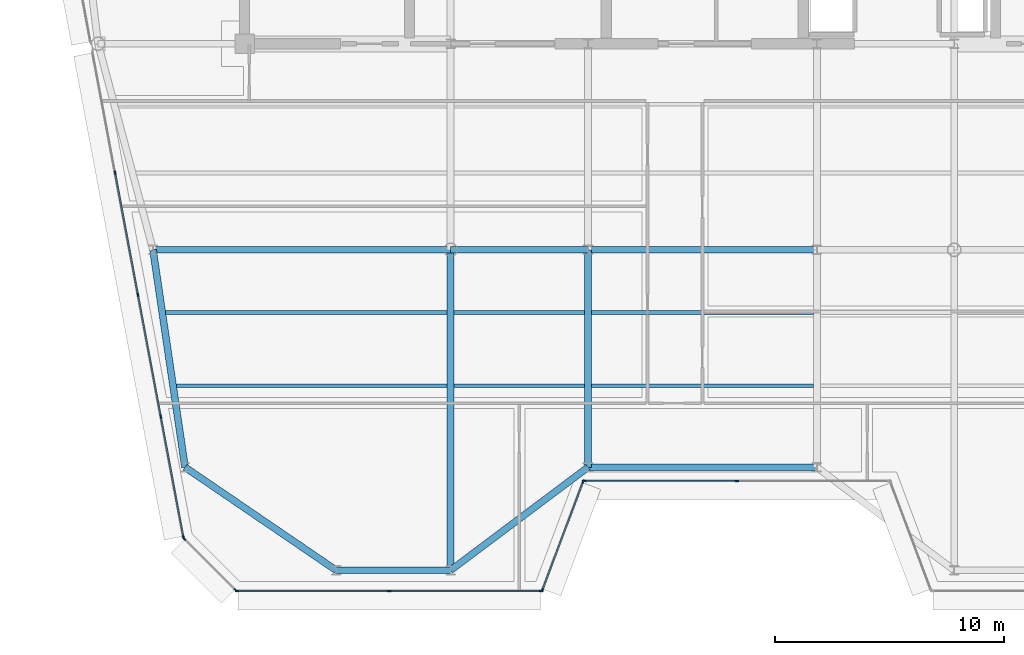
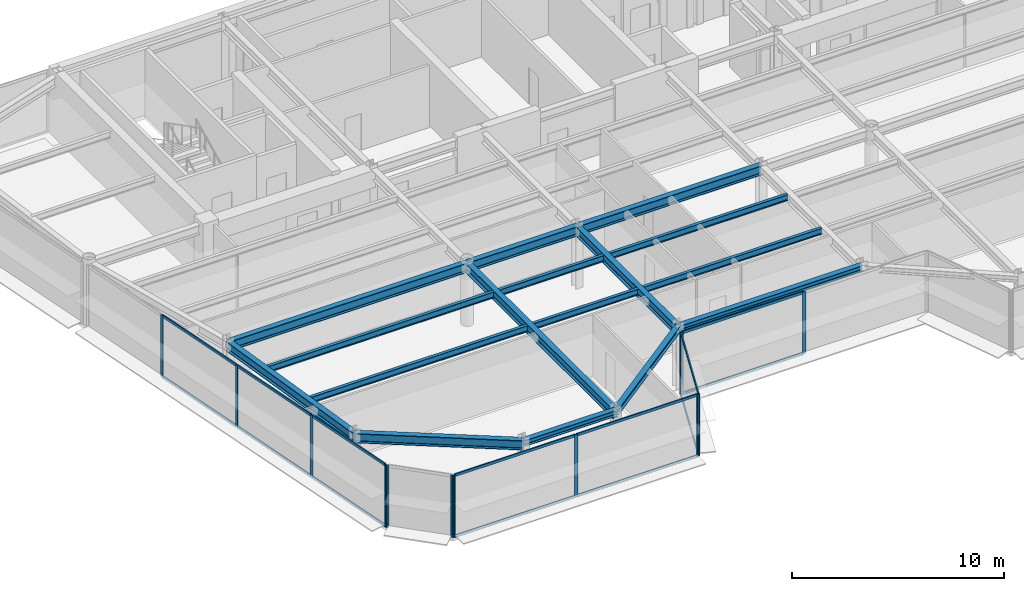
# One storey, part 3 of 19: 27 members, 16 beams, 5 elements without a shape of their own.
"""IFC4 building model written with IfcOpenShell, lengths in metres."""

import ifcopenshell
import ifcopenshell.guid

model = None  # the IFC model being written
_history = None  # IfcOwnerHistory: only IFC2X3 demands one
_inside = {}  # id of a spatial element -> (the spatial element, [elements in it])
_under = {}  # id of a project, library or spatial element -> (it, [spatial elements below it])
_declared = {}  # id of a project -> (the project, [libraries it declares])
_typed = {}  # id of a type object -> (the type object, [elements of that type])
_made_of = {}  # id of a material, layer set ... -> (it, [elements and type objects made of it])


def new_model(schema):
    """Start an empty IFC model of exactly this schema.

    Asked for "IFC4X3", IfcOpenShell would pick the latest addendum, in which some entities
    have other attributes; the version numbers below select the first issue.
    IFC2X3 requires an IfcOwnerHistory on every rooted entity: one is made here for all.
    """
    global model, _history
    if schema == "IFC4X3":
        model = ifcopenshell.file(schema_version=(4, 3, 0, 0))
    else:
        model = ifcopenshell.file(schema=schema)
    _inside.clear()
    _under.clear()
    _declared.clear()
    _typed.clear()
    _made_of.clear()
    _history = None
    if model.schema == "IFC2X3":
        org = make("IfcOrganization", Name="unknown")
        user = make(
            "IfcPersonAndOrganization",
            ThePerson=make("IfcPerson", FamilyName="unknown"),
            TheOrganization=org,
        )
        app = make(
            "IfcApplication",
            ApplicationDeveloper=org,
            Version="unknown",
            ApplicationFullName="unknown",
            ApplicationIdentifier="unknown",
        )
        _history = make(
            "IfcOwnerHistory",
            OwningUser=user,
            OwningApplication=app,
            ChangeAction="ADDED",
            CreationDate=0,
        )
    return model


def make(cls, **values):
    """One entity of the class cls with the attributes given. An attribute that is None is left unset."""
    return model.create_entity(
        cls, **{name: value for name, value in values.items() if value is not None}
    )


def rooted(cls, **values):
    """An entity with a GlobalId (a new one), such as an element, a storey or a relation."""
    return make(cls, GlobalId=ifcopenshell.guid.new(), OwnerHistory=_history, **values)


def si_unit(unit_type, name, prefix=None):
    """IfcSIUnit, for example si_unit("LENGTHUNIT", "METRE", prefix="MILLI")."""
    return make("IfcSIUnit", UnitType=unit_type, Prefix=prefix, Name=name)


def assignment(units):
    """IfcUnitAssignment: the units of a project."""
    return None if units is None else make("IfcUnitAssignment", Units=units)


def point(xyz):
    """IfcCartesianPoint."""
    return None if xyz is None else make("IfcCartesianPoint", Coordinates=xyz)


def direction(xyz):
    """IfcDirection."""
    return None if xyz is None else make("IfcDirection", DirectionRatios=xyz)


def frame(location, z_axis=None, x_axis=None):
    """IfcAxis2Placement3D, a coordinate frame: its origin and axes. An axis left out is left unset."""
    return make(
        "IfcAxis2Placement3D",
        Location=point(location),
        Axis=direction(z_axis),
        RefDirection=direction(x_axis),
    )


def frame_2d(location, x_axis=None):
    """IfcAxis2Placement2D, a coordinate frame in the plane: its origin and x axis."""
    return make(
        "IfcAxis2Placement2D", Location=point(location), RefDirection=direction(x_axis)
    )


def origin():
    """The frame at (0, 0, 0) with its axes left unset."""
    return frame((0.0, 0.0, 0.0))


def origin_2d():
    """The frame at (0, 0) in the plane with its x axis left unset."""
    return frame_2d((0.0, 0.0))


def place(relative_to, where):
    """IfcLocalPlacement: puts the frame where relative to a parent placement (None: the world)."""
    return make(
        "IfcLocalPlacement", PlacementRelTo=relative_to, RelativePlacement=where
    )


def context(
    kind, dimensions, precision=None, world=None, true_north=None, identifier=None
):
    """IfcGeometricRepresentationContext, for example the 3D "Model" context."""
    return make(
        "IfcGeometricRepresentationContext",
        ContextIdentifier=identifier,
        ContextType=kind,
        CoordinateSpaceDimension=dimensions,
        Precision=precision,
        WorldCoordinateSystem=world,
        TrueNorth=true_north,
    )


def subcontext(parent, identifier, kind, view, scale=None):
    """IfcGeometricRepresentationSubContext, for example "Body" below "Model"."""
    return make(
        "IfcGeometricRepresentationSubContext",
        ContextIdentifier=identifier,
        ContextType=kind,
        ParentContext=parent,
        TargetScale=scale,
        TargetView=view,
    )


def project(units=None, contexts=None):
    """IfcProject with its units and contexts."""
    return rooted(
        "IfcProject",
        Name="project",
        RepresentationContexts=contexts,
        UnitsInContext=assignment(units),
    )


def spatial(cls, under=None, at=None, **own):
    """A site, building, storey or space (cls), placed at a placement, below another one or the project."""
    s = rooted(cls, ObjectPlacement=at, **own)
    if under is not None:
        _under.setdefault(under.id(), (under, []))[1].append(s)
    return s


def profile(cls, at=None, kind="AREA", **sizes):
    """A parametric profile (cls). Its sizes go by their IFC names, for example OverallWidth=200.0."""
    return make(cls, ProfileType=kind, Position=at, **sizes)


def rectangle(**sizes):
    """IfcRectangleProfileDef."""
    return profile("IfcRectangleProfileDef", **sizes)


def i_section(**sizes):
    """IfcIShapeProfileDef."""
    return profile("IfcIShapeProfileDef", **sizes)


def extrude(swept, where, along, depth):
    """IfcExtrudedAreaSolid: the profile swept, set in the frame where, extruded along a direction by depth."""
    return make(
        "IfcExtrudedAreaSolid",
        SweptArea=swept,
        Position=where,
        ExtrudedDirection=direction(along),
        Depth=depth,
    )


def shape(context_of_items, identifier, shape_type, items):
    """IfcShapeRepresentation: the items that make up one representation, for example the "Body"."""
    return make(
        "IfcShapeRepresentation",
        ContextOfItems=context_of_items,
        RepresentationIdentifier=identifier,
        RepresentationType=shape_type,
        Items=items,
    )


def source(mapping_origin, context_of_items, identifier, shape_type, items):
    """IfcRepresentationMap: a shape defined once, which mapped items show again and again."""
    return make(
        "IfcRepresentationMap",
        MappingOrigin=mapping_origin,
        MappedRepresentation=shape(context_of_items, identifier, shape_type, items),
    )


def transform(
    local_origin,
    x_axis=None,
    y_axis=None,
    z_axis=None,
    scale=None,
    scale2=None,
    scale3=None,
    uniform=True,
):
    """IfcCartesianTransformationOperator3D, or its non-uniform kind. x_axis, y_axis, z_axis: its Axis1, 2, 3."""
    if uniform:
        return make(
            "IfcCartesianTransformationOperator3D",
            Axis1=direction(x_axis),
            Axis2=direction(y_axis),
            LocalOrigin=point(local_origin),
            Scale=scale,
            Axis3=direction(z_axis),
        )
    return make(
        "IfcCartesianTransformationOperator3DnonUniform",
        Axis1=direction(x_axis),
        Axis2=direction(y_axis),
        LocalOrigin=point(local_origin),
        Scale=scale,
        Axis3=direction(z_axis),
        Scale2=scale2,
        Scale3=scale3,
    )


def mapped(mapping_source, mapping_target):
    """IfcMappedItem: shows the shape of a source again, moved by a transform."""
    return make(
        "IfcMappedItem", MappingSource=mapping_source, MappingTarget=mapping_target
    )


def material(Name=None, Category=None):
    """IfcMaterial."""
    return make("IfcMaterial", Name=Name, Category=Category)


def layer(
    of_material, thickness, ventilated=None, Name=None, Category=None, Priority=None
):
    """IfcMaterialLayer: one layer of a wall or slab, of a material (None: an air gap)."""
    return make(
        "IfcMaterialLayer",
        Material=of_material,
        LayerThickness=thickness,
        IsVentilated=ventilated,
        Name=Name,
        Category=Category,
        Priority=Priority,
    )


def layer_set(layers, Name=None):
    """IfcMaterialLayerSet."""
    return make("IfcMaterialLayerSet", MaterialLayers=layers, LayerSetName=Name)


def material_profile(
    of_material, cross_section, Name=None, Category=None, Priority=None
):
    """IfcMaterialProfile: a cross section and its material."""
    return make(
        "IfcMaterialProfile",
        Name=Name,
        Material=of_material,
        Profile=cross_section,
        Priority=Priority,
        Category=Category,
    )


def profile_set(profiles, Name=None, composite=None):
    """IfcMaterialProfileSet."""
    return make(
        "IfcMaterialProfileSet",
        Name=Name,
        MaterialProfiles=profiles,
        CompositeProfile=composite,
    )


def made_of(thing, what):
    """Note that an element or type object is made of a material, layer set ...; save() writes the relation."""
    if what is not None:
        _made_of.setdefault(what.id(), (what, []))[1].append(thing)
    return thing


def type_object(cls, material=None, **own):
    """A type object (cls), such as IfcWallType, which elements share."""
    return made_of(rooted(cls, **own), material)


def element(
    cls,
    number,
    at=None,
    inside=None,
    cuts=None,
    type_object=None,
    material=None,
    context=None,
    identifier="Body",
    shape_type=None,
    held_by="IfcProductDefinitionShape",
    body=None,
    shapes=None,
    **own,
):
    """One element of the class cls, such as IfcWall. Its Tag is "e" and its number.

    at: its placement. inside: the storey or other place that contains it. cuts: it is an
    opening in that element (IfcRelVoidsElement). A single representation is given by context,
    identifier, shape_type and body (its items); several are given by shapes. held_by: the class
    of the entity that holds the representations. save() writes the other relations.
    """
    e = rooted(cls, Tag="e%d" % number, ObjectPlacement=at, **own)
    if body is not None:
        shapes = [shape(context, identifier, shape_type, body)]
    if shapes is not None:
        e.Representation = make(held_by, Representations=shapes)
    if inside is not None:
        _inside.setdefault(inside.id(), (inside, []))[1].append(e)
    if cuts is not None:
        rooted(
            "IfcRelVoidsElement", RelatingBuildingElement=cuts, RelatedOpeningElement=e
        )
    if type_object is not None:
        _typed.setdefault(type_object.id(), (type_object, []))[1].append(e)
    return made_of(e, material)


def aggregate(whole, parts):
    """IfcRelAggregates: a whole, such as a stair, and the parts it consists of."""
    return rooted("IfcRelAggregates", RelatingObject=whole, RelatedObjects=parts)


def save(model, path):
    """Write the relations noted so far, then the file.

    IfcRelAggregates (storeys below a building ...), IfcRelContainedInSpatialStructure (elements
    in a storey), IfcRelDefinesByType, IfcRelAssociatesMaterial and IfcRelDeclares: one each for
    every whole, place, type object, material and project.
    """
    for whole, parts in _under.values():
        aggregate(whole, parts)
    for where, things in _inside.values():
        rooted(
            "IfcRelContainedInSpatialStructure",
            RelatedElements=things,
            RelatingStructure=where,
        )
    for kind, things in _typed.values():
        rooted("IfcRelDefinesByType", RelatedObjects=things, RelatingType=kind)
    for what, things in _made_of.values():
        rooted("IfcRelAssociatesMaterial", RelatedObjects=things, RelatingMaterial=what)
    for by, libraries in _declared.values():
        rooted("IfcRelDeclares", RelatingContext=by, RelatedDefinitions=libraries)
    model.write(path)


model = new_model("IFC4")

# Units and contexts
model_context = context("Model", 3, precision=1e-05, world=origin(), true_north=direction((0.0, 1.0)))
body_context = subcontext(model_context, "Body", "Model", "MODEL_VIEW")
ifc_project = project(units=[si_unit("LENGTHUNIT", "METRE"), si_unit("AREAUNIT", "SQUARE_METRE"), si_unit("VOLUMEUNIT", "CUBIC_METRE"), si_unit("PLANEANGLEUNIT", "RADIAN"), si_unit("MASSUNIT", "GRAM", prefix="KILO")], contexts=[model_context])

# Site, building, storey
site_placement = place(None, origin())
site = spatial("IfcSite", under=ifc_project, at=site_placement, CompositionType="ELEMENT")
building_placement = place(site_placement, origin())
building = spatial("IfcBuilding", under=site, at=building_placement, Name="Vaeldorn Concourse Tower", CompositionType="ELEMENT")
storey_placement = place(building_placement, frame((0.0, 0.0, 276.39990234375)))
storey = spatial("IfcBuildingStorey", under=building, at=storey_placement, Name="L71", CompositionType="ELEMENT", Elevation=276.39990234375)

# Beams
ifc_material_1 = material(Name="Steel S355", Category="steel")
ifc_material_profile_1 = material_profile(ifc_material_1, i_section(OverallWidth=0.300048828125, OverallDepth=0.550048828125, WebThickness=0.014892578125, FlangeThickness=0.029052734375, FilletRadius=0.027099609375, at=origin_2d()), Name="HEB 550")
ifc_profile_set_1 = profile_set([ifc_material_profile_1], Name="Steel S355")
beam_type_1 = type_object("IfcBeamType", Name="BM-PG-HEB550", PredefinedType="BEAM", material=ifc_profile_set_1)
shared_shape_1 = source(origin(), body_context, "Body", "SweptSolid", [
    extrude(i_section(OverallWidth=0.300048828125, OverallDepth=0.550048828125, WebThickness=0.014892578125, FlangeThickness=0.029052734375, FilletRadius=0.027099609375, at=origin_2d()), origin(), (0.0, 0.0, 1.0), 6.0),
])
beam_1_placement = place(storey_placement, frame((23.0, 27.5, 3.30517578125), z_axis=(1.0, 0.0, 0.0), x_axis=(0.0, 1.0, 0.0)))
element("IfcBeam", 1, at=beam_1_placement, inside=storey, type_object=beam_type_1, Name="Beam BM-L71-C-TW1-C-TW2", PredefinedType="BEAM", context=body_context, shape_type="MappedRepresentation", body=[
    mapped(shared_shape_1, transform((0.0, 0.0, 0.0), scale=1.0)),
])
shared_shape_2 = source(origin(), body_context, "Body", "SweptSolid", [
    extrude(i_section(OverallWidth=0.300048828125, OverallDepth=0.550048828125, WebThickness=0.014892578125, FlangeThickness=0.029052734375, FilletRadius=0.027099609375, at=origin_2d()), origin(), (0.0, 0.0, 1.0), 10.0),
])
beam_2_placement = place(storey_placement, frame((29.0, 27.5, 3.30517578125), z_axis=(1.0, 0.0, 0.0), x_axis=(0.0, 1.0, 0.0)))
element("IfcBeam", 2, at=beam_2_placement, inside=storey, type_object=beam_type_1, Name="Beam BM-L71-C-TW2-C-TW3", PredefinedType="BEAM", context=body_context, shape_type="MappedRepresentation", body=[
    mapped(shared_shape_2, transform((0.0, 0.0, 0.0), scale=1.0)),
])
shared_shape_3 = source(origin(), body_context, "Body", "SweptSolid", [
    extrude(i_section(OverallWidth=0.300048828125, OverallDepth=0.550048828125, WebThickness=0.014892578125, FlangeThickness=0.029052734375, FilletRadius=0.027099609375, at=origin_2d()), origin(), (0.0, 0.0, 1.0), 14.0),
])
beam_3_placement = place(storey_placement, frame((23.0, 13.5, 3.30517578125), z_axis=(0.0, 1.0, 0.0), x_axis=(-1.0, 0.0, 0.0)))
element("IfcBeam", 3, at=beam_3_placement, inside=storey, type_object=beam_type_1, Name="Beam BM-L71-C-SF2-C-TW1", PredefinedType="BEAM", context=body_context, shape_type="MappedRepresentation", body=[
    mapped(shared_shape_3, transform((0.0, 0.0, 0.0), scale=1.0)),
])
shared_shape_4 = source(origin(), body_context, "Body", "SweptSolid", [
    extrude(i_section(OverallWidth=0.300048828125, OverallDepth=0.550048828125, WebThickness=0.014892578125, FlangeThickness=0.029052734375, FilletRadius=0.027099609375, at=origin_2d()), origin(), (0.0, 0.0, 1.0), 13.0),
])
beam_4_placement = place(storey_placement, frame((10.0, 27.5, 3.30517578125), z_axis=(1.0, 0.0, 0.0), x_axis=(0.0, 1.0, 0.0)))
element("IfcBeam", 4, at=beam_4_placement, inside=storey, type_object=beam_type_1, Name="Beam BM-L71-C-FLW1-C-TW1", PredefinedType="BEAM", context=body_context, shape_type="MappedRepresentation", body=[
    mapped(shared_shape_4, transform((0.0, 0.0, 0.0), scale=1.0)),
])
shared_shape_5 = source(origin(), body_context, "Body", "SweptSolid", [
    extrude(i_section(OverallWidth=0.300048828125, OverallDepth=0.550048828125, WebThickness=0.014892578125, FlangeThickness=0.029052734375, FilletRadius=0.027099609375, at=origin_2d()), origin(), (0.0, 0.0, 1.0), 9.6025390625),
])
beam_5_placement = place(storey_placement, frame((10.0, 27.5, 3.30517578125), z_axis=(0.145783835977, -0.989316467652, 0.0), x_axis=(0.989316467652, 0.145783835977, 0.0)))
element("IfcBeam", 5, at=beam_5_placement, inside=storey, type_object=beam_type_1, Name="Beam BM-L71-C-FLW1-C-FLW2", PredefinedType="BEAM", context=body_context, shape_type="MappedRepresentation", body=[
    mapped(shared_shape_5, transform((0.0, 0.0, 0.0), scale=1.0)),
])
shared_shape_6 = source(origin(), body_context, "Body", "SweptSolid", [
    extrude(i_section(OverallWidth=0.300048828125, OverallDepth=0.550048828125, WebThickness=0.014892578125, FlangeThickness=0.029052734375, FilletRadius=0.027099609375, at=origin_2d()), origin(), (0.0, 0.0, 1.0), 9.5),
])
beam_6_placement = place(storey_placement, frame((29.0, 18.0, 3.30517578125), z_axis=(0.0, 1.0, 0.0), x_axis=(-1.0, 0.0, 0.0)))
element("IfcBeam", 6, at=beam_6_placement, inside=storey, type_object=beam_type_1, Name="Beam BM-L71-C-SF3-C-TW2", PredefinedType="BEAM", context=body_context, shape_type="MappedRepresentation", body=[
    mapped(shared_shape_6, transform((0.0, 0.0, 0.0), scale=1.0)),
])
shared_shape_7 = source(origin(), body_context, "Body", "SweptSolid", [
    extrude(i_section(OverallWidth=0.300048828125, OverallDepth=0.550048828125, WebThickness=0.014892578125, FlangeThickness=0.029052734375, FilletRadius=0.027099609375, at=origin_2d()), origin(), (0.0, 0.0, 1.0), 7.98828125),
])
beam_7_placement = place(storey_placement, frame((18.0, 13.5, 3.30517578125), z_axis=(-0.826231222393, 0.56333113454, 0.0), x_axis=(-0.56333113454, -0.826231222393, 0.0)))
element("IfcBeam", 7, at=beam_7_placement, inside=storey, type_object=beam_type_1, Name="Beam BM-L71-C-SF1-C-FLW2", PredefinedType="BEAM", context=body_context, shape_type="MappedRepresentation", body=[
    mapped(shared_shape_7, transform((0.0, 0.0, 0.0), scale=1.0)),
])
ifc_material_profile_2 = material_profile(ifc_material_1, i_section(OverallWidth=0.169921875, OverallDepth=0.360107421875, WebThickness=0.008056640625, FlangeThickness=0.0126953125, FilletRadius=0.01806640625, at=origin_2d()), Name="IPE 360")
ifc_profile_set_2 = profile_set([ifc_material_profile_2], Name="Steel S355")
beam_type_2 = type_object("IfcBeamType", Name="BM-JS-IPE360", PredefinedType="JOIST", material=ifc_profile_set_2)
shared_shape_8 = source(origin(), body_context, "Body", "SweptSolid", [
    extrude(i_section(OverallWidth=0.169921875, OverallDepth=0.360107421875, WebThickness=0.008056640625, FlangeThickness=0.0126953125, FilletRadius=0.01806640625, at=origin_2d()), origin(), (0.0, 0.0, 1.0), 5.7001953125),
])
for number, where, z_axis, x_axis, name in (
    (8, (23.14990234375, 21.56005859375, 3.400146484375), (1.0, 0.0, 0.0), (0.0, 1.0, 0.0), "Beam JS-L71-W2-215"),
    (9, (23.14990234375, 24.760009765625, 3.400146484375), (1.0, 0.0, 0.0), (0.0, 1.0, 0.0), "Beam JS-L71-W2-247"),
):
    element("IfcBeam", number, at=place(storey_placement, frame(where, z_axis=z_axis, x_axis=x_axis)), inside=storey, type_object=beam_type_2, Name=name, PredefinedType="JOIST", context=body_context, shape_type="MappedRepresentation", body=[
        mapped(shared_shape_8, transform((0.0, 0.0, 0.0), scale=1.0)),
    ])
shared_shape_9 = source(origin(), body_context, "Body", "SweptSolid", [
    extrude(i_section(OverallWidth=0.169921875, OverallDepth=0.360107421875, WebThickness=0.008056640625, FlangeThickness=0.0126953125, FilletRadius=0.01806640625, at=origin_2d()), origin(), (0.0, 0.0, 1.0), 9.7001953125),
])
for number, where, z_axis, x_axis, name in (
    (10, (29.14990234375, 21.56005859375, 3.400146484375), (1.0, 0.0, 0.0), (0.0, 1.0, 0.0), "Beam JS-L71-C-215"),
    (11, (29.14990234375, 24.760009765625, 3.400146484375), (1.0, 0.0, 0.0), (0.0, 1.0, 0.0), "Beam JS-L71-C-247"),
):
    element("IfcBeam", number, at=place(storey_placement, frame(where, z_axis=z_axis, x_axis=x_axis)), inside=storey, type_object=beam_type_2, Name=name, PredefinedType="JOIST", context=body_context, shape_type="MappedRepresentation", body=[
        mapped(shared_shape_9, transform((0.0, 0.0, 0.0), scale=1.0)),
    ])
ifc_material_profile_3 = material_profile(ifc_material_1, i_section(OverallWidth=0.300048828125, OverallDepth=0.340087890625, WebThickness=0.011962890625, FlangeThickness=0.021484375, FilletRadius=0.027099609375, at=origin_2d()), Name="HEB 340")
ifc_profile_set_3 = profile_set([ifc_material_profile_3], Name="Steel S355")
beam_type_3 = type_object("IfcBeamType", Name="BM-SP-HEB340", PredefinedType="SPANDREL", material=ifc_profile_set_3)
shared_shape_10 = source(origin(), body_context, "Body", "SweptSolid", [
    extrude(i_section(OverallWidth=0.300048828125, OverallDepth=0.340087890625, WebThickness=0.011962890625, FlangeThickness=0.021484375, FilletRadius=0.027099609375, at=origin_2d()), origin(), (0.0, 0.0, 1.0), 5.0),
])
beam_8_placement = place(storey_placement, frame((18.0, 13.5, 3.41015625), z_axis=(1.0, 0.0, 0.0), x_axis=(0.0, 1.0, 0.0)))
element("IfcBeam", 12, at=beam_8_placement, inside=storey, type_object=beam_type_3, Name="Beam BM-L71-C-SF1-C-SF2", PredefinedType="SPANDREL", context=body_context, shape_type="MappedRepresentation", body=[
    mapped(shared_shape_10, transform((0.0, 0.0, 0.0), scale=1.0)),
])
shared_shape_11 = source(origin(), body_context, "Body", "SweptSolid", [
    extrude(i_section(OverallWidth=0.300048828125, OverallDepth=0.340087890625, WebThickness=0.011962890625, FlangeThickness=0.021484375, FilletRadius=0.027099609375, at=origin_2d()), origin(), (0.0, 0.0, 1.0), 7.5),
])
beam_9_placement = place(storey_placement, frame((23.0, 13.5, 3.41015625), z_axis=(0.8, 0.6, 0.0), x_axis=(-0.6, 0.8, 0.0)))
element("IfcBeam", 13, at=beam_9_placement, inside=storey, type_object=beam_type_3, Name="Beam BM-L71-C-SF2-C-SF3", PredefinedType="SPANDREL", context=body_context, shape_type="MappedRepresentation", body=[
    mapped(shared_shape_11, transform((0.0, 0.0, 0.0), scale=1.0)),
])
shared_shape_12 = source(origin(), body_context, "Body", "SweptSolid", [
    extrude(i_section(OverallWidth=0.300048828125, OverallDepth=0.340087890625, WebThickness=0.011962890625, FlangeThickness=0.021484375, FilletRadius=0.027099609375, at=origin_2d()), origin(), (0.0, 0.0, 1.0), 10.0),
])
beam_10_placement = place(storey_placement, frame((29.0, 18.0, 3.41015625), z_axis=(1.0, 0.0, 0.0), x_axis=(0.0, 1.0, 0.0)))
element("IfcBeam", 14, at=beam_10_placement, inside=storey, type_object=beam_type_3, Name="Beam BM-L71-C-SF3-C-SF4", PredefinedType="SPANDREL", context=body_context, shape_type="MappedRepresentation", body=[
    mapped(shared_shape_12, transform((0.0, 0.0, 0.0), scale=1.0)),
])
shared_shape_13 = source(origin(), body_context, "Body", "SweptSolid", [
    extrude(i_section(OverallWidth=0.169921875, OverallDepth=0.360107421875, WebThickness=0.008056640625, FlangeThickness=0.0126953125, FilletRadius=0.01806640625, at=origin_2d()), origin(), (0.0, 0.0, 1.0), 11.82470703125),
])
beam_11_placement = place(storey_placement, frame((11.025390625, 21.56005859375, 3.400146484375), z_axis=(1.0, 0.0, 0.0), x_axis=(0.0, 1.0, 0.0)))
element("IfcBeam", 15, at=beam_11_placement, inside=storey, type_object=beam_type_2, Name="Beam JS-L71-W1-215", PredefinedType="JOIST", context=body_context, shape_type="MappedRepresentation", body=[
    mapped(shared_shape_13, transform((0.0, 0.0, 0.0), scale=1.0)),
])
shared_shape_14 = source(origin(), body_context, "Body", "SweptSolid", [
    extrude(i_section(OverallWidth=0.169921875, OverallDepth=0.360107421875, WebThickness=0.008056640625, FlangeThickness=0.0126953125, FilletRadius=0.01806640625, at=origin_2d()), origin(), (0.0, 0.0, 1.0), 12.29638671875),
])
beam_12_placement = place(storey_placement, frame((10.5537109375, 24.760009765625, 3.400146484375), z_axis=(1.0, 0.0, 0.0), x_axis=(0.0, 1.0, 0.0)))
element("IfcBeam", 16, at=beam_12_placement, inside=storey, type_object=beam_type_2, Name="Beam JS-L71-W1-247", PredefinedType="JOIST", context=body_context, shape_type="MappedRepresentation", body=[
    mapped(shared_shape_14, transform((0.0, 0.0, 0.0), scale=1.0)),
])

# Curtain wall, members
ifc_material_2 = material(Name="Anodised Bronze Aluminium", Category="aluminium")
ifc_layer = layer(ifc_material_2, 0.179931640625)
ifc_layer_set = layer_set([ifc_layer], Name="Anodised Bronze Aluminium")
curtain_wall_type = type_object("IfcCurtainWallType", Name="CW-SYS-05", PredefinedType="NOTDEFINED", material=ifc_layer_set)
curtain_wall_1_placement = place(storey_placement, origin())
curtain_wall_1 = element("IfcCurtainWall", 17, at=curtain_wall_1_placement, inside=storey, type_object=curtain_wall_type, Name="Unitised Curtain Wall CW-L71-E02-1", PredefinedType="NOTDEFINED")
ifc_material_profile_4 = material_profile(ifc_material_2, rectangle(XDim=0.06494140625, YDim=0.14990234375, at=origin_2d()), Name="CWT 65x150")
ifc_profile_set_4 = profile_set([ifc_material_profile_4], Name="Anodised Bronze Aluminium")
member_type_1 = type_object("IfcMemberType", Name="CWT-BRONZE-150", PredefinedType="USERDEFINED", material=ifc_profile_set_4)
shared_shape_15 = source(origin(), body_context, "Body", "SweptSolid", [
    extrude(rectangle(XDim=0.06494140625, YDim=0.14990234375, at=origin_2d()), origin(), (0.0, 0.0, 1.0), 4.996337890625),
])
member_1_placement = place(storey_placement, frame((27.022705078125, 12.660888671875, 0.03271484375), z_axis=(0.351134151405, 0.936325161318, 0.0), x_axis=(-0.936325161318, 0.351134151405, 0.0)))
member_1 = element("IfcMember", 18, at=member_1_placement, type_object=member_type_1, Name="CW-05 transom 1.1", ObjectType="TRANSOM", PredefinedType="USERDEFINED", context=body_context, shape_type="MappedRepresentation", body=[
    mapped(shared_shape_15, transform((0.0, 0.0, 0.0), scale=1.0)),
])
member_2_placement = place(storey_placement, frame((27.022705078125, 12.660888671875, 3.547607421875), z_axis=(0.351134151405, 0.936325161318, 0.0), x_axis=(-0.936325161318, 0.351134151405, 0.0)))
member_2 = element("IfcMember", 19, at=member_2_placement, type_object=member_type_1, Name="CW-05 transom 1.2", ObjectType="TRANSOM", PredefinedType="USERDEFINED", context=body_context, shape_type="MappedRepresentation", body=[
    mapped(shared_shape_15, transform((0.0, 0.0, 0.0), scale=1.0)),
])

curtain_wall_2_placement = place(storey_placement, origin())
curtain_wall_2 = element("IfcCurtainWall", 20, at=curtain_wall_2_placement, inside=storey, type_object=curtain_wall_type, Name="Unitised Curtain Wall CW-L71-E03-1", PredefinedType="NOTDEFINED")
shared_shape_16 = source(origin(), body_context, "Body", "SweptSolid", [
    extrude(rectangle(XDim=0.06494140625, YDim=0.14990234375, at=origin_2d()), origin(), (0.0, 0.0, 1.0), 6.6025390625),
])
member_3_placement = place(storey_placement, frame((28.864990234375, 17.39990234375, 0.03271484375), z_axis=(1.0, 0.0, 0.0), x_axis=(0.0, 1.0, 0.0)))
member_3 = element("IfcMember", 21, at=member_3_placement, type_object=member_type_1, Name="CW-05 transom 1.1", ObjectType="TRANSOM", PredefinedType="USERDEFINED", context=body_context, shape_type="MappedRepresentation", body=[
    mapped(shared_shape_16, transform((0.0, 0.0, 0.0), scale=1.0)),
])
member_4_placement = place(storey_placement, frame((28.864990234375, 17.39990234375, 3.547607421875), z_axis=(1.0, 0.0, 0.0), x_axis=(0.0, 1.0, 0.0)))
member_4 = element("IfcMember", 22, at=member_4_placement, type_object=member_type_1, Name="CW-05 transom 1.2", ObjectType="TRANSOM", PredefinedType="USERDEFINED", context=body_context, shape_type="MappedRepresentation", body=[
    mapped(shared_shape_16, transform((0.0, 0.0, 0.0), scale=1.0)),
])

curtain_wall_3_placement = place(storey_placement, origin())
curtain_wall_3 = element("IfcCurtainWall", 23, at=curtain_wall_3_placement, inside=storey, type_object=curtain_wall_type, Name="Unitised Curtain Wall CW-L71-E01-1", PredefinedType="NOTDEFINED")
ifc_material_profile_5 = material_profile(ifc_material_2, rectangle(XDim=0.06494140625, YDim=0.169921875, at=origin_2d()), Name="CWM 65x170")
ifc_profile_set_5 = profile_set([ifc_material_profile_5], Name="Anodised Bronze Aluminium")
member_type_2 = type_object("IfcMemberType", Name="CWM-BRONZE-170", PredefinedType="MULLION", material=ifc_profile_set_5)
shared_shape_17 = source(origin(), body_context, "Body", "SweptSolid", [
    extrude(rectangle(XDim=0.06494140625, YDim=0.169921875, at=origin_2d()), origin(), (0.0, 0.0, 1.0), 3.580078125),
])
member_5_placement = place(storey_placement, frame((13.66845703125, 12.60009765625, 0.0), z_axis=(0.0, 0.0, 1.0), x_axis=(0.0, 1.0, 0.0)))
member_5 = element("IfcMember", 24, at=member_5_placement, type_object=member_type_2, Name="CW-05 mullion 1", PredefinedType="MULLION", context=body_context, shape_type="MappedRepresentation", body=[
    mapped(shared_shape_17, transform((0.0, 0.0, 0.0), scale=1.0)),
])
member_6_placement = place(storey_placement, frame((20.318115234375, 12.60009765625, 0.0), z_axis=(0.0, 0.0, 1.0), x_axis=(0.0, 1.0, 0.0)))
member_6 = element("IfcMember", 25, at=member_6_placement, type_object=member_type_2, Name="CW-05 mullion 2", PredefinedType="MULLION", context=body_context, shape_type="MappedRepresentation", body=[
    mapped(shared_shape_17, transform((0.0, 0.0, 0.0), scale=1.0)),
])
member_7_placement = place(storey_placement, frame((26.967529296875, 12.60009765625, 0.0), z_axis=(0.0, 0.0, 1.0), x_axis=(0.0, 1.0, 0.0)))
member_7 = element("IfcMember", 26, at=member_7_placement, type_object=member_type_2, Name="CW-05 mullion 3", PredefinedType="MULLION", context=body_context, shape_type="MappedRepresentation", body=[
    mapped(shared_shape_17, transform((0.0, 0.0, 0.0), scale=1.0)),
])

# Member
member_8_placement = place(storey_placement, frame((27.011474609375, 12.63037109375, 0.0), z_axis=(0.0, 0.0, 1.0), x_axis=(-0.936329177566, 0.351123441595, 0.0)))
member_8 = element("IfcMember", 27, at=member_8_placement, type_object=member_type_2, Name="CW-05 mullion 1", PredefinedType="MULLION", context=body_context, shape_type="MappedRepresentation", body=[
    mapped(shared_shape_17, transform((0.0, 0.0, 0.0), scale=1.0)),
])

member_9_placement = place(storey_placement, frame((28.78857421875, 17.36962890625, 0.0), z_axis=(0.0, 0.0, 1.0), x_axis=(-0.936329177566, 0.351123441595, 0.0)))
member_9 = element("IfcMember", 28, at=member_9_placement, type_object=member_type_2, Name="CW-05 mullion 2", PredefinedType="MULLION", context=body_context, shape_type="MappedRepresentation", body=[
    mapped(shared_shape_17, transform((0.0, 0.0, 0.0), scale=1.0)),
])

aggregate(curtain_wall_1, [member_8, member_9, member_1, member_2])

member_10_placement = place(storey_placement, frame((28.83251953125, 17.39990234375, 0.0), z_axis=(0.0, 0.0, 1.0), x_axis=(0.0, 1.0, 0.0)))
member_10 = element("IfcMember", 29, at=member_10_placement, type_object=member_type_2, Name="CW-05 mullion 1", PredefinedType="MULLION", context=body_context, shape_type="MappedRepresentation", body=[
    mapped(shared_shape_17, transform((0.0, 0.0, 0.0), scale=1.0)),
])

member_11_placement = place(storey_placement, frame((35.5, 17.39990234375, 0.0), z_axis=(0.0, 0.0, 1.0), x_axis=(0.0, 1.0, 0.0)))
member_11 = element("IfcMember", 30, at=member_11_placement, type_object=member_type_2, Name="CW-05 mullion 2", PredefinedType="MULLION", context=body_context, shape_type="MappedRepresentation", body=[
    mapped(shared_shape_17, transform((0.0, 0.0, 0.0), scale=1.0)),
])

aggregate(curtain_wall_2, [member_10, member_11, member_3, member_4])

# Curtain wall, members
curtain_wall_4_placement = place(storey_placement, origin())
curtain_wall_4 = element("IfcCurtainWall", 31, at=curtain_wall_4_placement, inside=storey, type_object=curtain_wall_type, Name="Unitised Curtain Wall CW-L71-E11-2", PredefinedType="NOTDEFINED")
member_12_placement = place(storey_placement, frame((8.343505859375, 30.86376953125, 0.0), z_axis=(0.0, 0.0, 1.0), x_axis=(0.982880027444, 0.184246714088, 0.0)))
member_12 = element("IfcMember", 32, at=member_12_placement, type_object=member_type_2, Name="CW-05 mullion 2", PredefinedType="MULLION", context=body_context, shape_type="MappedRepresentation", body=[
    mapped(shared_shape_17, transform((0.0, 0.0, 0.0), scale=1.0)),
])
member_13_placement = place(storey_placement, frame((9.341064453125, 25.54248046875, 0.0), z_axis=(0.0, 0.0, 1.0), x_axis=(0.982880027444, 0.184246714088, 0.0)))
member_13 = element("IfcMember", 33, at=member_13_placement, type_object=member_type_2, Name="CW-05 mullion 3", PredefinedType="MULLION", context=body_context, shape_type="MappedRepresentation", body=[
    mapped(shared_shape_17, transform((0.0, 0.0, 0.0), scale=1.0)),
])
member_14_placement = place(storey_placement, frame((10.33837890625, 20.22119140625, 0.0), z_axis=(0.0, 0.0, 1.0), x_axis=(0.982880027444, 0.184246714088, 0.0)))
member_14 = element("IfcMember", 34, at=member_14_placement, type_object=member_type_2, Name="CW-05 mullion 4", PredefinedType="MULLION", context=body_context, shape_type="MappedRepresentation", body=[
    mapped(shared_shape_17, transform((0.0, 0.0, 0.0), scale=1.0)),
])
member_15_placement = place(storey_placement, frame((11.330078125, 14.931884765625, 0.0), z_axis=(0.0, 0.0, 1.0), x_axis=(0.982880027444, 0.184246714088, 0.0)))
member_15 = element("IfcMember", 35, at=member_15_placement, type_object=member_type_2, Name="CW-05 mullion 5", PredefinedType="MULLION", context=body_context, shape_type="MappedRepresentation", body=[
    mapped(shared_shape_17, transform((0.0, 0.0, 0.0), scale=1.0)),
])

curtain_wall_5_placement = place(storey_placement, origin())
curtain_wall_5 = element("IfcCurtainWall", 36, at=curtain_wall_5_placement, inside=storey, type_object=curtain_wall_type, Name="Unitised Curtain Wall CW-L71-E12-1", PredefinedType="NOTDEFINED")
member_16_placement = place(storey_placement, frame((11.35888671875, 14.876953125, 0.0), z_axis=(0.0, 0.0, 1.0), x_axis=(0.707106781187, 0.707106781187, 0.0)))
member_16 = element("IfcMember", 37, at=member_16_placement, type_object=member_type_2, Name="CW-05 mullion 1", PredefinedType="MULLION", context=body_context, shape_type="MappedRepresentation", body=[
    mapped(shared_shape_17, transform((0.0, 0.0, 0.0), scale=1.0)),
])
member_17_placement = place(storey_placement, frame((13.613037109375, 12.623046875, 0.0), z_axis=(0.0, 0.0, 1.0), x_axis=(0.707106781187, 0.707106781187, 0.0)))
member_17 = element("IfcMember", 38, at=member_17_placement, type_object=member_type_2, Name="CW-05 mullion 2", PredefinedType="MULLION", context=body_context, shape_type="MappedRepresentation", body=[
    mapped(shared_shape_17, transform((0.0, 0.0, 0.0), scale=1.0)),
])
aggregate(curtain_wall_5, [member_16, member_17])

# Member
shared_shape_18 = source(origin(), body_context, "Body", "SweptSolid", [
    extrude(rectangle(XDim=0.06494140625, YDim=0.14990234375, at=origin_2d()), origin(), (0.0, 0.0, 1.0), 5.31640625),
])
member_18_placement = place(storey_placement, frame((10.344482421875, 20.189208984375, 0.03271484375), z_axis=(0.184241399207, -0.982881023735, 0.0), x_axis=(0.982881023735, 0.184241399207, 0.0)))
member_18 = element("IfcMember", 39, at=member_18_placement, type_object=member_type_1, Name="CW-05 transom 4.1", ObjectType="TRANSOM", PredefinedType="USERDEFINED", context=body_context, shape_type="MappedRepresentation", body=[
    mapped(shared_shape_18, transform((0.0, 0.0, 0.0), scale=1.0)),
])

member_19_placement = place(storey_placement, frame((10.344482421875, 20.189208984375, 3.547607421875), z_axis=(0.184241399207, -0.982881023735, 0.0), x_axis=(0.982881023735, 0.184241399207, 0.0)))
member_19 = element("IfcMember", 40, at=member_19_placement, type_object=member_type_1, Name="CW-05 transom 4.2", ObjectType="TRANSOM", PredefinedType="USERDEFINED", context=body_context, shape_type="MappedRepresentation", body=[
    mapped(shared_shape_18, transform((0.0, 0.0, 0.0), scale=1.0)),
])

shared_shape_19 = source(origin(), body_context, "Body", "SweptSolid", [
    extrude(rectangle(XDim=0.06494140625, YDim=0.14990234375, at=origin_2d()), origin(), (0.0, 0.0, 1.0), 5.348876953125),
])
member_20_placement = place(storey_placement, frame((8.349609375, 30.831787109375, 0.03271484375), z_axis=(0.184216882988, -0.982885618993, 0.0), x_axis=(0.982885618993, 0.184216882988, 0.0)))
member_20 = element("IfcMember", 41, at=member_20_placement, type_object=member_type_1, Name="CW-05 transom 2.1", ObjectType="TRANSOM", PredefinedType="USERDEFINED", context=body_context, shape_type="MappedRepresentation", body=[
    mapped(shared_shape_19, transform((0.0, 0.0, 0.0), scale=1.0)),
])

member_21_placement = place(storey_placement, frame((8.349609375, 30.831787109375, 3.547607421875), z_axis=(0.184216882988, -0.982885618993, 0.0), x_axis=(0.982885618993, 0.184216882988, 0.0)))
member_21 = element("IfcMember", 42, at=member_21_placement, type_object=member_type_1, Name="CW-05 transom 2.2", ObjectType="TRANSOM", PredefinedType="USERDEFINED", context=body_context, shape_type="MappedRepresentation", body=[
    mapped(shared_shape_19, transform((0.0, 0.0, 0.0), scale=1.0)),
])

member_22_placement = place(storey_placement, frame((9.346923828125, 25.510498046875, 0.03271484375), z_axis=(0.184260976912, -0.982877353685, 0.0), x_axis=(0.982877353685, 0.184260976912, 0.0)))
member_22 = element("IfcMember", 43, at=member_22_placement, type_object=member_type_1, Name="CW-05 transom 3.1", ObjectType="TRANSOM", PredefinedType="USERDEFINED", context=body_context, shape_type="MappedRepresentation", body=[
    mapped(shared_shape_19, transform((0.0, 0.0, 0.0), scale=1.0)),
])

member_23_placement = place(storey_placement, frame((9.346923828125, 25.510498046875, 3.547607421875), z_axis=(0.184260976912, -0.982877353685, 0.0), x_axis=(0.982877353685, 0.184260976912, 0.0)))
member_23 = element("IfcMember", 44, at=member_23_placement, type_object=member_type_1, Name="CW-05 transom 3.2", ObjectType="TRANSOM", PredefinedType="USERDEFINED", context=body_context, shape_type="MappedRepresentation", body=[
    mapped(shared_shape_19, transform((0.0, 0.0, 0.0), scale=1.0)),
])

aggregate(curtain_wall_4, [member_12, member_13, member_14, member_15, member_20, member_21, member_22, member_23, member_18, member_19])

shared_shape_20 = source(origin(), body_context, "Body", "SweptSolid", [
    extrude(rectangle(XDim=0.06494140625, YDim=0.14990234375, at=origin_2d()), origin(), (0.0, 0.0, 1.0), 6.58447265625),
])
member_24_placement = place(storey_placement, frame((13.700927734375, 12.60009765625, 0.03271484375), z_axis=(1.0, 0.0, 0.0), x_axis=(0.0, 1.0, 0.0)))
member_24 = element("IfcMember", 45, at=member_24_placement, type_object=member_type_1, Name="CW-05 transom 1.1", ObjectType="TRANSOM", PredefinedType="USERDEFINED", context=body_context, shape_type="MappedRepresentation", body=[
    mapped(shared_shape_20, transform((0.0, 0.0, 0.0), scale=1.0)),
])

member_25_placement = place(storey_placement, frame((13.700927734375, 12.60009765625, 3.547607421875), z_axis=(1.0, 0.0, 0.0), x_axis=(0.0, 1.0, 0.0)))
member_25 = element("IfcMember", 46, at=member_25_placement, type_object=member_type_1, Name="CW-05 transom 1.2", ObjectType="TRANSOM", PredefinedType="USERDEFINED", context=body_context, shape_type="MappedRepresentation", body=[
    mapped(shared_shape_20, transform((0.0, 0.0, 0.0), scale=1.0)),
])

member_26_placement = place(storey_placement, frame((20.3505859375, 12.60009765625, 0.03271484375), z_axis=(1.0, 0.0, 0.0), x_axis=(0.0, 1.0, 0.0)))
member_26 = element("IfcMember", 47, at=member_26_placement, type_object=member_type_1, Name="CW-05 transom 2.1", ObjectType="TRANSOM", PredefinedType="USERDEFINED", context=body_context, shape_type="MappedRepresentation", body=[
    mapped(shared_shape_20, transform((0.0, 0.0, 0.0), scale=1.0)),
])

member_27_placement = place(storey_placement, frame((20.3505859375, 12.60009765625, 3.547607421875), z_axis=(1.0, 0.0, 0.0), x_axis=(0.0, 1.0, 0.0)))
member_27 = element("IfcMember", 48, at=member_27_placement, type_object=member_type_1, Name="CW-05 transom 2.2", ObjectType="TRANSOM", PredefinedType="USERDEFINED", context=body_context, shape_type="MappedRepresentation", body=[
    mapped(shared_shape_20, transform((0.0, 0.0, 0.0), scale=1.0)),
])

aggregate(curtain_wall_3, [member_5, member_6, member_7, member_24, member_25, member_26, member_27])

save(model, "model.ifc")
